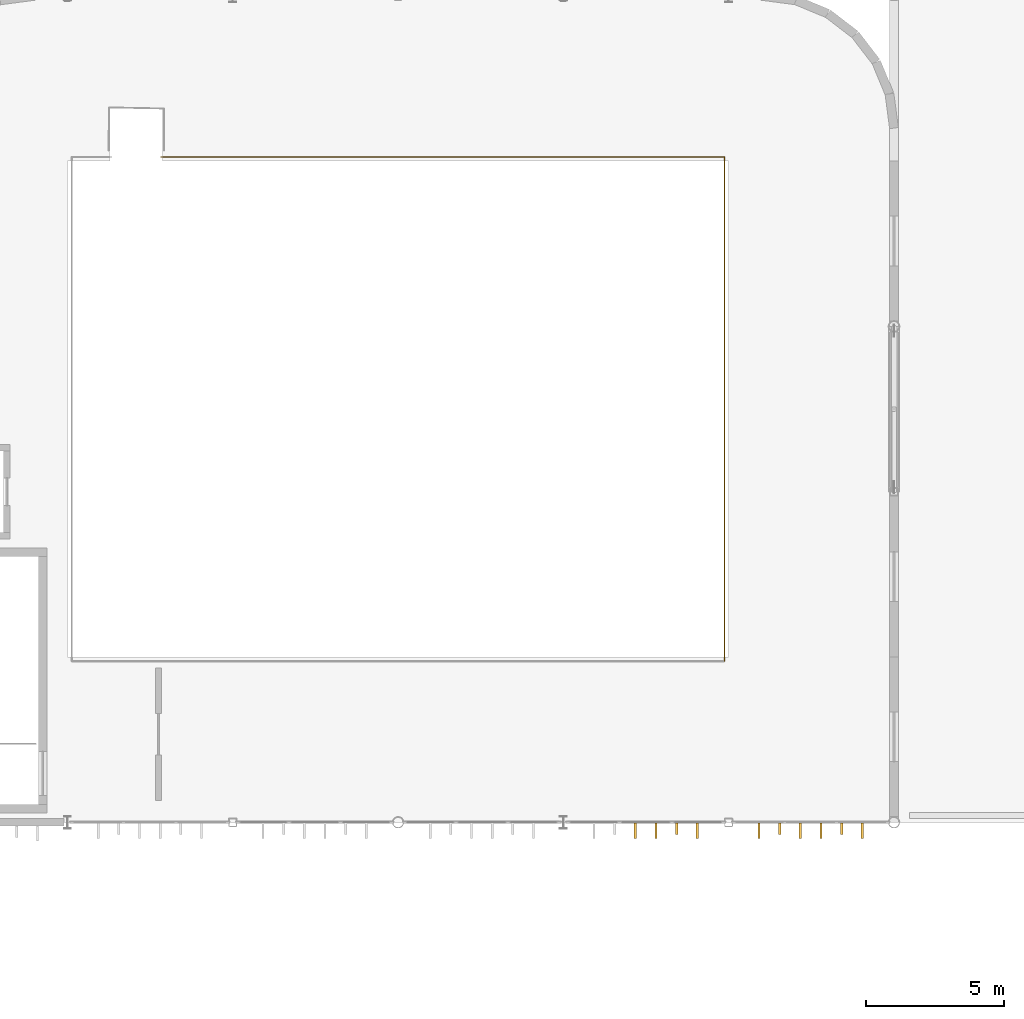
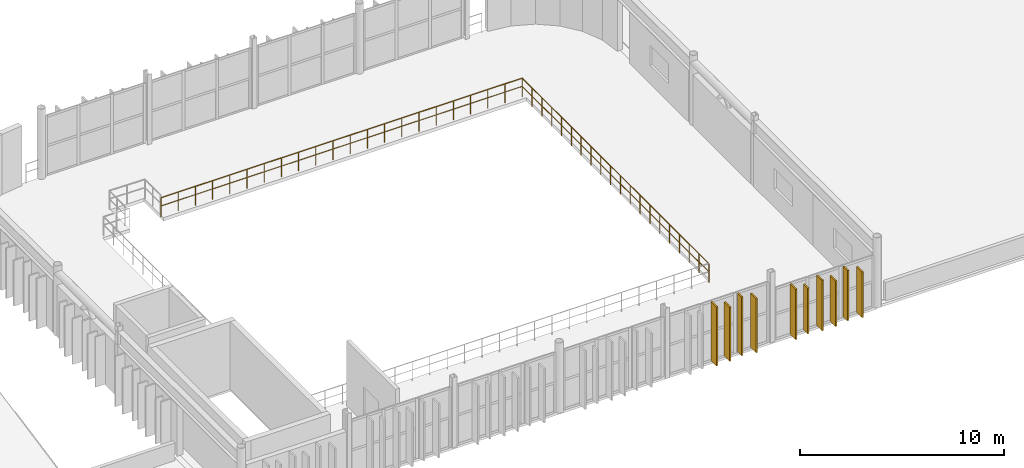
# One storey, part 78 of 83: 10 coverings, 2 railings.
"""IFC4 building model written with IfcOpenShell, lengths in metres."""

from ifc_helpers import new_model, si_unit, direction, frame, origin, origin_2d, place, context, subcontext, project, spatial, rectangle, circle, extrude, material, layer, layer_set, type_object, element, save


model = new_model("IFC4")

# Units and contexts
model_context = context("Model", 3, precision=1e-05, world=origin(), true_north=direction((0.0, 1.0)))
body_context = subcontext(model_context, "Body", "Model", "MODEL_VIEW")
ifc_project = project(units=[si_unit("LENGTHUNIT", "METRE"), si_unit("AREAUNIT", "SQUARE_METRE"), si_unit("VOLUMEUNIT", "CUBIC_METRE"), si_unit("PLANEANGLEUNIT", "RADIAN"), si_unit("MASSUNIT", "GRAM", prefix="KILO")], contexts=[model_context])

# Site, building, storey
site_placement = place(None, origin())
site = spatial("IfcSite", under=ifc_project, at=site_placement, CompositionType="ELEMENT")
building_placement = place(site_placement, origin())
building = spatial("IfcBuilding", under=site, at=building_placement, Name="Varnakota Square Police Headquarters", CompositionType="ELEMENT")
storey_placement = place(building_placement, frame((0.0, 0.0, 18.0)))
storey = spatial("IfcBuildingStorey", under=building, at=storey_placement, Name="L04", CompositionType="ELEMENT", Elevation=18.0)

# Coverings
ifc_material_1 = material(Name="White Anodised Aluminium Vertical Facade Blade 420", Category="aluminium")
ifc_layer_1 = layer(ifc_material_1, 0.0849609375, Name="White Anodised Aluminium Vertical Facade Blade 420")
ifc_layer_set_1 = layer_set([ifc_layer_1], Name="White Anodised Aluminium Vertical Facade Blade 420")
covering_type_1 = type_object("IfcCoveringType", Name="COV-FIN-420", PredefinedType="CLADDING", material=ifc_layer_set_1)
covering_1_placement = place(storey_placement, frame((88.112548828125, 68.762451171875, 0.0400390625), z_axis=(0.0, 0.0, 1.0), x_axis=(1.0, 0.0, 0.0)))
element("IfcCovering", 1, at=covering_1_placement, inside=storey, type_object=covering_type_1, Name="Vertical aluminium facade fin FIN-1389", PredefinedType="CLADDING", context=body_context, shape_type="SweptSolid", body=[
    extrude(rectangle(XDim=0.0849609375, YDim=0.419921875, at=origin_2d()), origin(), (0.0, 0.0, 1.0), 3.510009765625),
])
covering_2_placement = place(storey_placement, frame((91.848388671875, 68.762451171875, 0.0400390625), z_axis=(0.0, 0.0, 1.0), x_axis=(1.0, 0.0, 0.0)))
element("IfcCovering", 2, at=covering_2_placement, inside=storey, type_object=covering_type_1, Name="Vertical aluminium facade fin FIN-1392", PredefinedType="CLADDING", context=body_context, shape_type="SweptSolid", body=[
    extrude(rectangle(XDim=0.0849609375, YDim=0.419921875, at=origin_2d()), origin(), (0.0, 0.0, 1.0), 2.72998046875),
])
covering_3_placement = place(storey_placement, frame((94.098388671875, 68.762451171875, 0.0400390625), z_axis=(0.0, 0.0, 1.0), x_axis=(1.0, 0.0, 0.0)))
element("IfcCovering", 3, at=covering_3_placement, inside=storey, type_object=covering_type_1, Name="Vertical aluminium facade fin FIN-1395", PredefinedType="CLADDING", context=body_context, shape_type="SweptSolid", body=[
    extrude(rectangle(XDim=0.0849609375, YDim=0.419921875, at=origin_2d()), origin(), (0.0, 0.0, 1.0), 3.010009765625),
])
ifc_material_2 = material(Name="White Anodised Aluminium Vertical Facade Blade 550", Category="aluminium")
ifc_layer_2 = layer(ifc_material_2, 0.0849609375, Name="White Anodised Aluminium Vertical Facade Blade 550")
ifc_layer_set_2 = layer_set([ifc_layer_2], Name="White Anodised Aluminium Vertical Facade Blade 550")
covering_type_2 = type_object("IfcCoveringType", Name="COV-FIN-550", PredefinedType="CLADDING", material=ifc_layer_set_2)
covering_4_placement = place(storey_placement, frame((86.612548828125, 68.697509765625, 0.0400390625), z_axis=(0.0, 0.0, 1.0), x_axis=(1.0, 0.0, 0.0)))
element("IfcCovering", 4, at=covering_4_placement, inside=storey, type_object=covering_type_2, Name="Vertical aluminium facade fin FIN-1387", PredefinedType="CLADDING", context=body_context, shape_type="SweptSolid", body=[
    extrude(rectangle(XDim=0.0849609375, YDim=0.550048828125, at=origin_2d()), origin(), (0.0, 0.0, 1.0), 3.510009765625),
])
for number, where, z_axis, x_axis, name in (
    (5, (87.362548828125, 68.697509765625, 0.0400390625), (0.0, 0.0, 1.0), (1.0, 0.0, 0.0), "Vertical aluminium facade fin FIN-1388"),
    (6, (88.862548828125, 68.697509765625, 0.0400390625), (0.0, 0.0, 1.0), (1.0, 0.0, 0.0), "Vertical aluminium facade fin FIN-1390"),
):
    element("IfcCovering", number, at=place(storey_placement, frame(where, z_axis=z_axis, x_axis=x_axis)), inside=storey, type_object=covering_type_2, Name=name, PredefinedType="CLADDING", context=body_context, shape_type="SweptSolid", body=[
        extrude(rectangle(XDim=0.0849609375, YDim=0.550048828125, at=origin_2d()), origin(), (0.0, 0.0, 1.0), 3.22998046875),
    ])
for number, where, z_axis, x_axis, name in (
    (7, (91.098388671875, 68.697509765625, 0.0400390625), (0.0, 0.0, 1.0), (1.0, 0.0, 0.0), "Vertical aluminium facade fin FIN-1391"),
    (8, (92.598388671875, 68.697509765625, 0.0400390625), (0.0, 0.0, 1.0), (1.0, 0.0, 0.0), "Vertical aluminium facade fin FIN-1393"),
):
    element("IfcCovering", number, at=place(storey_placement, frame(where, z_axis=z_axis, x_axis=x_axis)), inside=storey, type_object=covering_type_2, Name=name, PredefinedType="CLADDING", context=body_context, shape_type="SweptSolid", body=[
        extrude(rectangle(XDim=0.0849609375, YDim=0.550048828125, at=origin_2d()), origin(), (0.0, 0.0, 1.0), 3.010009765625),
    ])
for number, where, z_axis, x_axis, name in (
    (9, (93.348388671875, 68.697509765625, 0.0400390625), (0.0, 0.0, 1.0), (1.0, 0.0, 0.0), "Vertical aluminium facade fin FIN-1394"),
    (10, (94.848388671875, 68.697509765625, 0.0400390625), (0.0, 0.0, 1.0), (1.0, 0.0, 0.0), "Vertical aluminium facade fin FIN-1396"),
):
    element("IfcCovering", number, at=place(storey_placement, frame(where, z_axis=z_axis, x_axis=x_axis)), inside=storey, type_object=covering_type_2, Name=name, PredefinedType="CLADDING", context=body_context, shape_type="SweptSolid", body=[
        extrude(rectangle(XDim=0.0849609375, YDim=0.550048828125, at=origin_2d()), origin(), (0.0, 0.0, 1.0), 2.72998046875),
    ])

# Railings
ifc_material_3 = material(Name="Laminated Glass and Stainless Steel Balustrade", Category="steel")
railing_type = type_object("IfcRailingType", Name="RL-INT-1150", PredefinedType="BALUSTRADE", material=ifc_material_3)
railing_1_placement = place(storey_placement, frame((89.85009765625, 74.85009765625, 0.0)))
element("IfcRailing", 11, at=railing_1_placement, inside=storey, type_object=railing_type, Name="Crisis gallery balustrade", PredefinedType="BALUSTRADE", context=body_context, shape_type="SweptSolid", body=[
    extrude(circle(Radius=0.02392578125, at=origin_2d()), frame((0.0, 0.0, 1.1259765625), z_axis=(0.0, 1.0, 0.0), x_axis=(-1.0, 0.0, 0.0)), (0.0, 0.0, 1.0), 18.2998046875),
    extrude(circle(Radius=0.01806640625, at=origin_2d()), frame((0.0, 0.0, 0.63232421875), z_axis=(0.0, 1.0, 0.0), x_axis=(-1.0, 0.0, 0.0)), (0.0, 0.0, 1.0), 18.2998046875),
    extrude(circle(Radius=0.02099609375, at=origin_2d()), origin(), (0.0, 0.0, 1.0), 1.101806640625),
    extrude(circle(Radius=0.02099609375, at=origin_2d()), frame((0.0, 0.963134765625, 0.0)), (0.0, 0.0, 1.0), 1.101806640625),
    extrude(circle(Radius=0.02099609375, at=origin_2d()), frame((0.0, 1.92626953125, 0.0)), (0.0, 0.0, 1.0), 1.101806640625),
    extrude(circle(Radius=0.02099609375, at=origin_2d()), frame((0.0, 2.889404296875, 0.0)), (0.0, 0.0, 1.0), 1.101806640625),
    extrude(circle(Radius=0.02099609375, at=origin_2d()), frame((0.0, 3.8525390625, 0.0)), (0.0, 0.0, 1.0), 1.101806640625),
    extrude(circle(Radius=0.02099609375, at=origin_2d()), frame((0.0, 4.815673828125, 0.0)), (0.0, 0.0, 1.0), 1.101806640625),
    extrude(circle(Radius=0.02099609375, at=origin_2d()), frame((0.0, 5.77880859375, 0.0)), (0.0, 0.0, 1.0), 1.101806640625),
    extrude(circle(Radius=0.02099609375, at=origin_2d()), frame((0.0, 6.741943359375, 0.0)), (0.0, 0.0, 1.0), 1.101806640625),
    extrude(circle(Radius=0.02099609375, at=origin_2d()), frame((0.0, 7.705078125, 0.0)), (0.0, 0.0, 1.0), 1.101806640625),
    extrude(circle(Radius=0.02099609375, at=origin_2d()), frame((0.0, 8.668212890625, 0.0)), (0.0, 0.0, 1.0), 1.101806640625),
    extrude(circle(Radius=0.02099609375, at=origin_2d()), frame((0.0, 9.631591796875, 0.0)), (0.0, 0.0, 1.0), 1.101806640625),
    extrude(circle(Radius=0.02099609375, at=origin_2d()), frame((0.0, 10.5947265625, 0.0)), (0.0, 0.0, 1.0), 1.101806640625),
    extrude(circle(Radius=0.02099609375, at=origin_2d()), frame((0.0, 11.557861328125, 0.0)), (0.0, 0.0, 1.0), 1.101806640625),
    extrude(circle(Radius=0.02099609375, at=origin_2d()), frame((0.0, 12.52099609375, 0.0)), (0.0, 0.0, 1.0), 1.101806640625),
    extrude(circle(Radius=0.02099609375, at=origin_2d()), frame((0.0, 13.484130859375, 0.0)), (0.0, 0.0, 1.0), 1.101806640625),
    extrude(circle(Radius=0.02099609375, at=origin_2d()), frame((0.0, 14.447265625, 0.0)), (0.0, 0.0, 1.0), 1.101806640625),
    extrude(circle(Radius=0.02099609375, at=origin_2d()), frame((0.0, 15.410400390625, 0.0)), (0.0, 0.0, 1.0), 1.101806640625),
    extrude(circle(Radius=0.02099609375, at=origin_2d()), frame((0.0, 16.37353515625, 0.0)), (0.0, 0.0, 1.0), 1.101806640625),
    extrude(circle(Radius=0.02099609375, at=origin_2d()), frame((0.0, 17.336669921875, 0.0)), (0.0, 0.0, 1.0), 1.101806640625),
    extrude(circle(Radius=0.02099609375, at=origin_2d()), frame((0.0, 18.2998046875, 0.0)), (0.0, 0.0, 1.0), 1.101806640625),
])
railing_2_placement = place(storey_placement, frame((89.85009765625, 93.14990234375, 0.0)))
element("IfcRailing", 12, at=railing_2_placement, inside=storey, type_object=railing_type, Name="Crisis gallery balustrade", PredefinedType="BALUSTRADE", context=body_context, shape_type="SweptSolid", body=[
    extrude(circle(Radius=0.02392578125, at=origin_2d()), frame((0.0, 0.0, 1.1259765625), z_axis=(-1.0, 0.0, 0.0), x_axis=(0.0, -1.0, 0.0)), (0.0, 0.0, 1.0), 20.4501953125),
    extrude(circle(Radius=0.01806640625, at=origin_2d()), frame((0.0, 0.0, 0.63232421875), z_axis=(-1.0, 0.0, 0.0), x_axis=(0.0, -1.0, 0.0)), (0.0, 0.0, 1.0), 20.4501953125),
    extrude(circle(Radius=0.02099609375, at=origin_2d()), origin(), (0.0, 0.0, 1.0), 1.101806640625),
    extrude(circle(Radius=0.02099609375, at=origin_2d()), frame((-0.973876953125, 0.0, 0.0)), (0.0, 0.0, 1.0), 1.101806640625),
    extrude(circle(Radius=0.02099609375, at=origin_2d()), frame((-1.94775390625, 0.0, 0.0)), (0.0, 0.0, 1.0), 1.101806640625),
    extrude(circle(Radius=0.02099609375, at=origin_2d()), frame((-2.92138671875, 0.0, 0.0)), (0.0, 0.0, 1.0), 1.101806640625),
    extrude(circle(Radius=0.02099609375, at=origin_2d()), frame((-3.895263671875, 0.0, 0.0)), (0.0, 0.0, 1.0), 1.101806640625),
    extrude(circle(Radius=0.02099609375, at=origin_2d()), frame((-4.869140625, 0.0, 0.0)), (0.0, 0.0, 1.0), 1.101806640625),
    extrude(circle(Radius=0.02099609375, at=origin_2d()), frame((-5.843017578125, 0.0, 0.0)), (0.0, 0.0, 1.0), 1.101806640625),
    extrude(circle(Radius=0.02099609375, at=origin_2d()), frame((-6.816650390625, 0.0, 0.0)), (0.0, 0.0, 1.0), 1.101806640625),
    extrude(circle(Radius=0.02099609375, at=origin_2d()), frame((-7.79052734375, 0.0, 0.0)), (0.0, 0.0, 1.0), 1.101806640625),
    extrude(circle(Radius=0.02099609375, at=origin_2d()), frame((-8.764404296875, 0.0, 0.0)), (0.0, 0.0, 1.0), 1.101806640625),
    extrude(circle(Radius=0.02099609375, at=origin_2d()), frame((-9.73828125, 0.0, 0.0)), (0.0, 0.0, 1.0), 1.101806640625),
    extrude(circle(Radius=0.02099609375, at=origin_2d()), frame((-10.7119140625, 0.0, 0.0)), (0.0, 0.0, 1.0), 1.101806640625),
    extrude(circle(Radius=0.02099609375, at=origin_2d()), frame((-11.685791015625, 0.0, 0.0)), (0.0, 0.0, 1.0), 1.101806640625),
    extrude(circle(Radius=0.02099609375, at=origin_2d()), frame((-12.65966796875, 0.0, 0.0)), (0.0, 0.0, 1.0), 1.101806640625),
    extrude(circle(Radius=0.02099609375, at=origin_2d()), frame((-13.633544921875, 0.0, 0.0)), (0.0, 0.0, 1.0), 1.101806640625),
    extrude(circle(Radius=0.02099609375, at=origin_2d()), frame((-14.607177734375, 0.0, 0.0)), (0.0, 0.0, 1.0), 1.101806640625),
    extrude(circle(Radius=0.02099609375, at=origin_2d()), frame((-15.5810546875, 0.0, 0.0)), (0.0, 0.0, 1.0), 1.101806640625),
    extrude(circle(Radius=0.02099609375, at=origin_2d()), frame((-16.554931640625, 0.0, 0.0)), (0.0, 0.0, 1.0), 1.101806640625),
    extrude(circle(Radius=0.02099609375, at=origin_2d()), frame((-17.52880859375, 0.0, 0.0)), (0.0, 0.0, 1.0), 1.101806640625),
    extrude(circle(Radius=0.02099609375, at=origin_2d()), frame((-18.50244140625, 0.0, 0.0)), (0.0, 0.0, 1.0), 1.101806640625),
    extrude(circle(Radius=0.02099609375, at=origin_2d()), frame((-19.476318359375, 0.0, 0.0)), (0.0, 0.0, 1.0), 1.101806640625),
    extrude(circle(Radius=0.02099609375, at=origin_2d()), frame((-20.4501953125, 0.0, 0.0)), (0.0, 0.0, 1.0), 1.101806640625),
])

save(model, "model.ifc")
